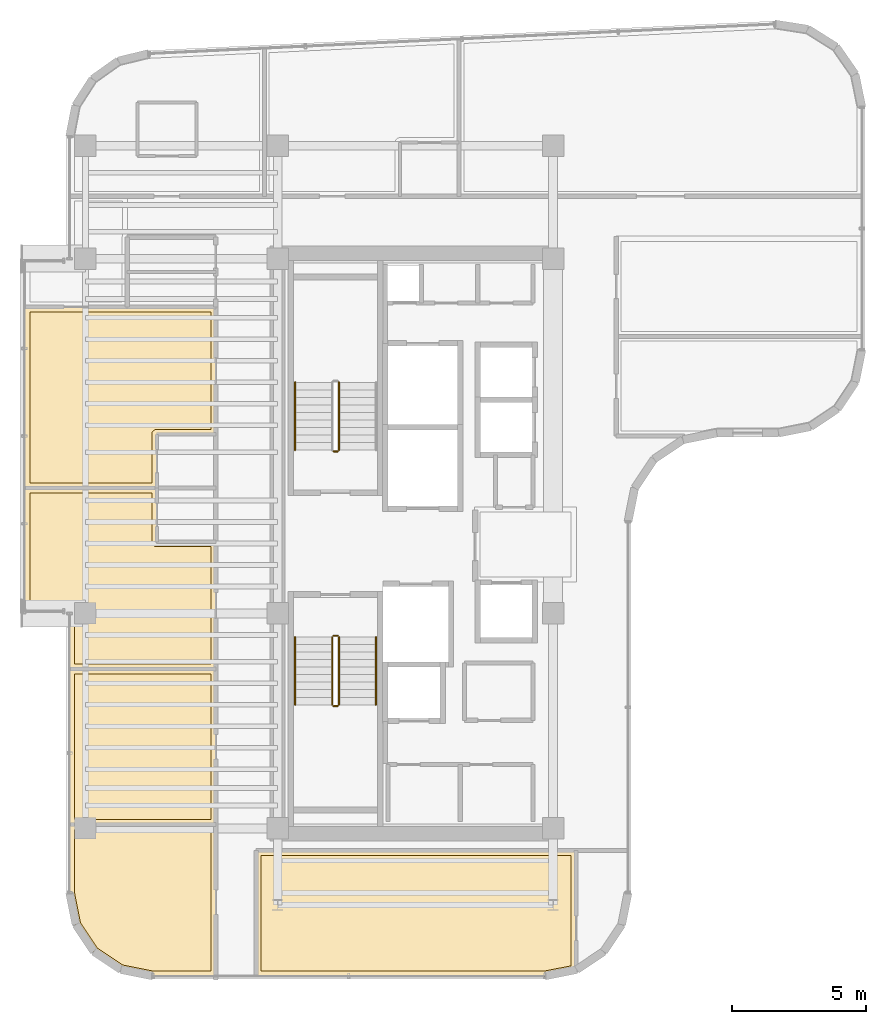
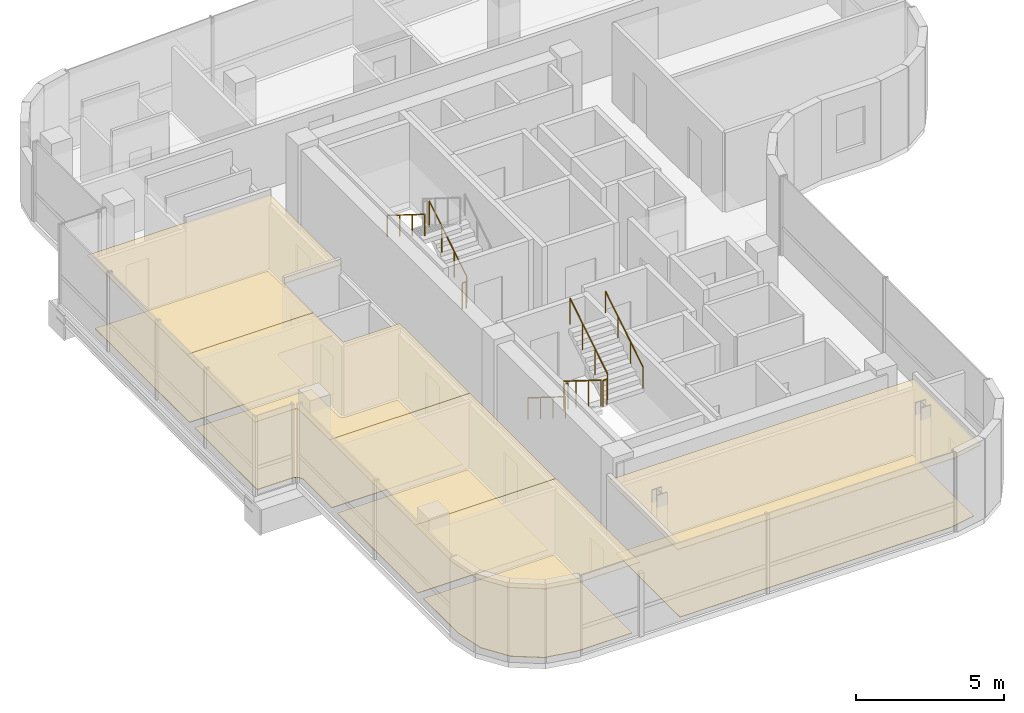
# One storey, part 18 of 20: 10 coverings, 9 railings.
"""IFC4 building model written with IfcOpenShell, lengths in metres."""

from ifc_helpers import new_model, si_unit, direction, frame, origin, origin_2d, place, context, subcontext, project, spatial, polyline, circle, outline, extrude, material, layer, layer_set, type_object, element, save


model = new_model("IFC4")

# Units and contexts
model_context = context("Model", 3, precision=1e-05, world=origin(), true_north=direction((0.0, 1.0)))
body_context = subcontext(model_context, "Body", "Model", "MODEL_VIEW")
ifc_project = project(units=[si_unit("LENGTHUNIT", "METRE"), si_unit("AREAUNIT", "SQUARE_METRE"), si_unit("VOLUMEUNIT", "CUBIC_METRE"), si_unit("PLANEANGLEUNIT", "RADIAN"), si_unit("MASSUNIT", "GRAM", prefix="KILO")], contexts=[model_context])

# Site, building, storey
site_placement = place(None, origin())
site = spatial("IfcSite", under=ifc_project, at=site_placement, CompositionType="ELEMENT")
building_placement = place(site_placement, origin())
building = spatial("IfcBuilding", under=site, at=building_placement, Name="Valdorenza Pilgrim Sanctuary Tower", CompositionType="ELEMENT")
storey_placement = place(building_placement, frame((0.0, 0.0, 280.0)))
storey = spatial("IfcBuildingStorey", under=building, at=storey_placement, Name="L73", CompositionType="ELEMENT", Elevation=280.0)

# Coverings
ifc_material_1 = material(Name="Micro-perforated acoustic mineral ceiling tile", Category="gypsum")
ifc_layer_1 = layer(ifc_material_1, 0.02490234375, Name="Micro-perforated acoustic mineral ceiling tile")
ifc_layer_set_1 = layer_set([ifc_layer_1], Name="Micro-perforated acoustic mineral ceiling tile")
covering_type_1 = type_object("IfcCoveringType", Name="COV-CLG-ACU", PredefinedType="CEILING", material=ifc_layer_set_1)
covering_1_placement = place(storey_placement, frame((0.0, 0.0, 2.9599609375)))
element("IfcCovering", 1, at=covering_1_placement, inside=storey, type_object=covering_type_1, Name="L73 Sacred Art Exhibition Gallery L73 Acoustic Ceiling", PredefinedType="CEILING", context=body_context, shape_type="SweptSolid", body=[
    extrude(outline(polyline([(-24.93505859375, -16.090087890625), (-24.93505859375, -16.091552734375), (-24.935302734375, -16.093017578125), (-24.935546875, -16.094482421875), (-24.93603515625, -16.095703125), (-24.936767578125, -16.09716796875), (-24.9375, -16.098388671875), (-24.9384765625, -16.099609375), (-24.939453125, -16.1005859375), (-24.9404296875, -16.1015625), (-24.941650390625, -16.1025390625), (-24.94287109375, -16.103271484375), (-24.9443359375, -16.10400390625), (-24.945556640625, -16.1044921875), (-24.947021484375, -16.104736328125), (-24.948486328125, -16.10498046875), (-24.949951171875, -16.10498046875), (-27.289306640625, -16.10498046875), (-27.29052734375, -16.10498046875), (-27.2919921875, -16.104736328125), (-28.484619140625, -15.867431640625), (-28.486083984375, -15.8671875), (-28.4873046875, -15.86669921875), (-28.48876953125, -15.865966796875), (-28.489990234375, -15.865234375), (-29.49169921875, -15.19580078125), (-29.492919921875, -15.195068359375), (-29.493896484375, -15.194091796875), (-29.4951171875, -15.19287109375), (-29.495849609375, -15.191650390625), (-30.165283203125, -14.18994140625), (-30.166015625, -14.188720703125), (-30.16650390625, -14.1875), (-30.1669921875, -14.18603515625), (-30.16748046875, -14.1845703125), (-30.40478515625, -12.9921875), (-30.40478515625, -12.990478515625), (-30.405029296875, -12.9892578125), (-30.405029296875, -10.455078125), (-30.40478515625, -10.45361328125), (-30.40478515625, -10.4521484375), (-30.404296875, -10.45068359375), (-30.40380859375, -10.44921875), (-30.4033203125, -10.447998046875), (-30.402587890625, -10.44677734375), (-30.401611328125, -10.445556640625), (-30.400634765625, -10.4443359375), (-30.3994140625, -10.443359375), (-30.398193359375, -10.4423828125), (-30.397216796875, -10.44189453125), (-30.395751953125, -10.441162109375), (-30.394287109375, -10.440673828125), (-30.392822265625, -10.440185546875), (-30.3916015625, -10.440185546875), (-30.389892578125, -10.43994140625), (-24.949951171875, -10.43994140625), (-24.948486328125, -10.440185546875), (-24.947021484375, -10.440185546875), (-24.945556640625, -10.440673828125), (-24.9443359375, -10.441162109375), (-24.94287109375, -10.44189453125), (-24.941650390625, -10.4423828125), (-24.9404296875, -10.443359375), (-24.939453125, -10.4443359375), (-24.9384765625, -10.445556640625), (-24.9375, -10.44677734375), (-24.936767578125, -10.447998046875), (-24.93603515625, -10.44921875), (-24.935546875, -10.45068359375), (-24.935302734375, -10.4521484375), (-24.93505859375, -10.45361328125), (-24.93505859375, -10.455078125), (-24.93505859375, -16.090087890625)])), origin(), (0.0, 0.0, 1.0), 0.025146484375),
])
covering_2_placement = place(storey_placement, frame((0.0, 0.0, 2.9599609375)))
element("IfcCovering", 2, at=covering_2_placement, inside=storey, type_object=covering_type_1, Name="L73 Theological Reference Library L73 Acoustic Ceiling", PredefinedType="CEILING", context=body_context, shape_type="SweptSolid", body=[
    extrude(outline(polyline([(-24.93505859375, -10.452880859375), (-24.93505859375, -10.45458984375), (-24.935302734375, -10.455810546875), (-24.935546875, -10.45751953125), (-24.93603515625, -10.458740234375), (-24.936767578125, -10.460205078125), (-24.9375, -10.461181640625), (-24.9384765625, -10.46240234375), (-24.939453125, -10.463623046875), (-24.9404296875, -10.464599609375), (-24.941650390625, -10.465576171875), (-24.94287109375, -10.46630859375), (-24.9443359375, -10.466796875), (-24.945556640625, -10.46728515625), (-24.947021484375, -10.4677734375), (-24.948486328125, -10.468017578125), (-24.949951171875, -10.468017578125), (-30.389892578125, -10.468017578125), (-30.3916015625, -10.468017578125), (-30.392822265625, -10.4677734375), (-30.394287109375, -10.46728515625), (-30.395751953125, -10.466796875), (-30.397216796875, -10.46630859375), (-30.398193359375, -10.465576171875), (-30.3994140625, -10.464599609375), (-30.400634765625, -10.463623046875), (-30.401611328125, -10.46240234375), (-30.402587890625, -10.461181640625), (-30.4033203125, -10.460205078125), (-30.40380859375, -10.458740234375), (-30.404296875, -10.45751953125), (-30.40478515625, -10.455810546875), (-30.40478515625, -10.45458984375), (-30.405029296875, -10.452880859375), (-30.405029296875, -4.669921875), (-30.40478515625, -4.66845703125), (-30.40478515625, -4.6669921875), (-30.404296875, -4.66552734375), (-30.40380859375, -4.664306640625), (-30.4033203125, -4.662841796875), (-30.402587890625, -4.66162109375), (-30.401611328125, -4.660400390625), (-30.400634765625, -4.659423828125), (-30.3994140625, -4.658447265625), (-30.398193359375, -4.657470703125), (-30.397216796875, -4.65673828125), (-30.395751953125, -4.656005859375), (-30.394287109375, -4.655517578125), (-30.392822265625, -4.6552734375), (-30.3916015625, -4.655029296875), (-30.389892578125, -4.655029296875), (-24.949951171875, -4.655029296875), (-24.948486328125, -4.655029296875), (-24.947021484375, -4.6552734375), (-24.945556640625, -4.655517578125), (-24.9443359375, -4.656005859375), (-24.94287109375, -4.65673828125), (-24.941650390625, -4.657470703125), (-24.9404296875, -4.658447265625), (-24.939453125, -4.659423828125), (-24.9384765625, -4.660400390625), (-24.9375, -4.66162109375), (-24.936767578125, -4.662841796875), (-24.93603515625, -4.664306640625), (-24.935546875, -4.66552734375), (-24.935302734375, -4.6669921875), (-24.93505859375, -4.66845703125), (-24.93505859375, -4.669921875), (-24.93505859375, -10.452880859375)])), origin(), (0.0, 0.0, 1.0), 0.025146484375),
])
covering_3_placement = place(storey_placement, frame((0.0, 0.0, 2.9599609375)))
element("IfcCovering", 3, at=covering_3_placement, inside=storey, type_object=covering_type_1, Name="L73 Pilgrim Guest Room L73-GW1A Acoustic Ceiling", PredefinedType="CEILING", context=body_context, shape_type="SweptSolid", body=[
    extrude(outline(polyline([(-30.405029296875, -2.600341796875), (-30.405517578125, -2.5908203125), (-30.40673828125, -2.58154296875), (-30.4091796875, -2.572509765625), (-30.412109375, -2.563720703125), (-30.416259765625, -2.55517578125), (-30.4208984375, -2.547119140625), (-30.426513671875, -2.539794921875), (-30.432861328125, -2.53271484375), (-30.439697265625, -2.526611328125), (-30.447265625, -2.52099609375), (-30.455078125, -2.51611328125), (-30.463623046875, -2.51220703125), (-30.472412109375, -2.509033203125), (-30.4814453125, -2.5068359375), (-30.49072265625, -2.505615234375), (-30.50048828125, -2.5048828125), (-32.0400390625, -2.5048828125), (-32.04150390625, -2.5048828125), (-32.04296875, -2.504638671875), (-32.04443359375, -2.50439453125), (-32.045654296875, -2.50390625), (-32.047119140625, -2.503173828125), (-32.04833984375, -2.50244140625), (-32.049560546875, -2.501708984375), (-32.050537109375, -2.50048828125), (-32.051513671875, -2.49951171875), (-32.052490234375, -2.498291015625), (-32.05322265625, -2.4970703125), (-32.053955078125, -2.49560546875), (-32.054443359375, -2.494384765625), (-32.0546875, -2.492919921875), (-32.054931640625, -2.491455078125), (-32.054931640625, -2.489990234375), (-32.054931640625, 2.06494140625), (-32.054931640625, 2.06640625), (-32.0546875, 2.06787109375), (-32.054443359375, 2.0693359375), (-32.053955078125, 2.07080078125), (-32.05322265625, 2.072021484375), (-32.052490234375, 2.0732421875), (-32.051513671875, 2.074462890625), (-32.050537109375, 2.07568359375), (-32.049560546875, 2.07666015625), (-32.04833984375, 2.077392578125), (-32.047119140625, 2.078125), (-32.045654296875, 2.078857421875), (-32.04443359375, 2.079345703125), (-32.04296875, 2.07958984375), (-32.04150390625, 2.079833984375), (-32.0400390625, 2.080078125), (-27.152099609375, 2.080078125), (-27.150390625, 2.079833984375), (-27.149169921875, 2.07958984375), (-27.147705078125, 2.079345703125), (-27.146240234375, 2.078857421875), (-27.14501953125, 2.078125), (-27.143798828125, 2.077392578125), (-27.142578125, 2.07666015625), (-27.141357421875, 2.07568359375), (-27.140380859375, 2.074462890625), (-27.139404296875, 2.0732421875), (-27.138916015625, 2.072021484375), (-27.13818359375, 2.07080078125), (-27.1376953125, 2.0693359375), (-27.13720703125, 2.06787109375), (-27.13720703125, 2.06640625), (-27.136962890625, 2.06494140625), (-27.136962890625, 0.077880859375), (-24.949951171875, 0.077880859375), (-24.948486328125, 0.077880859375), (-24.947021484375, 0.07763671875), (-24.945556640625, 0.077392578125), (-24.9443359375, 0.076904296875), (-24.94287109375, 0.076171875), (-24.941650390625, 0.075439453125), (-24.9404296875, 0.07470703125), (-24.939453125, 0.073486328125), (-24.9384765625, 0.072509765625), (-24.9375, 0.0712890625), (-24.936767578125, 0.070068359375), (-24.93603515625, 0.068603515625), (-24.935546875, 0.0673828125), (-24.935302734375, 0.06591796875), (-24.93505859375, 0.064453125), (-24.93505859375, 0.06298828125), (-24.93505859375, -4.66796875), (-24.93505859375, -4.66943359375), (-24.935302734375, -4.6708984375), (-24.935546875, -4.67236328125), (-24.93603515625, -4.673583984375), (-24.936767578125, -4.675048828125), (-24.9375, -4.67626953125), (-24.9384765625, -4.677490234375), (-24.939453125, -4.6787109375), (-24.9404296875, -4.6796875), (-24.941650390625, -4.680419921875), (-24.94287109375, -4.68115234375), (-24.9443359375, -4.681884765625), (-24.945556640625, -4.682373046875), (-24.947021484375, -4.6826171875), (-24.948486328125, -4.682861328125), (-24.949951171875, -4.68310546875), (-30.389892578125, -4.68310546875), (-30.3916015625, -4.682861328125), (-30.392822265625, -4.6826171875), (-30.394287109375, -4.682373046875), (-30.395751953125, -4.681884765625), (-30.397216796875, -4.68115234375), (-30.398193359375, -4.680419921875), (-30.3994140625, -4.6796875), (-30.400634765625, -4.6787109375), (-30.401611328125, -4.677490234375), (-30.402587890625, -4.67626953125), (-30.4033203125, -4.675048828125), (-30.40380859375, -4.673583984375), (-30.404296875, -4.67236328125), (-30.40478515625, -4.6708984375), (-30.40478515625, -4.66943359375), (-30.405029296875, -4.66796875), (-30.405029296875, -2.600341796875)])), origin(), (0.0, 0.0, 1.0), 0.025146484375),
])
covering_4_placement = place(storey_placement, frame((0.0, 0.0, 2.9599609375)))
element("IfcCovering", 4, at=covering_4_placement, inside=storey, type_object=covering_type_1, Name="L73 Pilgrim Guest Room L73-GW1B Acoustic Ceiling", PredefinedType="CEILING", context=body_context, shape_type="SweptSolid", body=[
    extrude(outline(polyline([(-28.253662109375, 8.81298828125), (-28.253173828125, 8.81298828125), (-28.25146484375, 8.813232421875), (-28.25, 8.813232421875), (-28.24853515625, 8.81298828125), (-28.248291015625, 8.81298828125), (-24.949951171875, 8.81298828125), (-24.948486328125, 8.81298828125), (-24.947021484375, 8.812744140625), (-24.945556640625, 8.8125), (-24.9443359375, 8.81201171875), (-24.94287109375, 8.811279296875), (-24.941650390625, 8.810546875), (-24.9404296875, 8.8095703125), (-24.939453125, 8.80859375), (-24.9384765625, 8.8076171875), (-24.9375, 8.806396484375), (-24.936767578125, 8.80517578125), (-24.93603515625, 8.8037109375), (-24.935546875, 8.802490234375), (-24.935302734375, 8.80078125), (-24.93505859375, 8.799560546875), (-24.93505859375, 8.798095703125), (-24.93505859375, 4.06689453125), (-24.93505859375, 4.0654296875), (-24.935302734375, 4.064208984375), (-24.935546875, 4.0625), (-24.93603515625, 4.061279296875), (-24.936767578125, 4.059814453125), (-24.9375, 4.05859375), (-24.9384765625, 4.0576171875), (-24.939453125, 4.056396484375), (-24.9404296875, 4.055419921875), (-24.941650390625, 4.054443359375), (-24.94287109375, 4.0537109375), (-24.9443359375, 4.052978515625), (-24.945556640625, 4.052490234375), (-24.947021484375, 4.05224609375), (-24.948486328125, 4.052001953125), (-24.949951171875, 4.052001953125), (-27.136962890625, 4.052001953125), (-27.136962890625, 2.06689453125), (-27.13720703125, 2.0654296875), (-27.13720703125, 2.064208984375), (-27.1376953125, 2.0625), (-27.13818359375, 2.061279296875), (-27.138916015625, 2.059814453125), (-27.139404296875, 2.05859375), (-27.140380859375, 2.0576171875), (-27.141357421875, 2.056396484375), (-27.142578125, 2.055419921875), (-27.143798828125, 2.054443359375), (-27.14501953125, 2.0537109375), (-27.146240234375, 2.052978515625), (-27.147705078125, 2.052490234375), (-27.149169921875, 2.05224609375), (-27.150390625, 2.052001953125), (-27.152099609375, 2.052001953125), (-32.0400390625, 2.052001953125), (-32.04150390625, 2.052001953125), (-32.04296875, 2.05224609375), (-32.04443359375, 2.052490234375), (-32.045654296875, 2.052978515625), (-32.047119140625, 2.0537109375), (-32.04833984375, 2.054443359375), (-32.049560546875, 2.055419921875), (-32.050537109375, 2.056396484375), (-32.051513671875, 2.0576171875), (-32.052490234375, 2.05859375), (-32.05322265625, 2.059814453125), (-32.053955078125, 2.061279296875), (-32.054443359375, 2.0625), (-32.0546875, 2.064208984375), (-32.054931640625, 2.0654296875), (-32.054931640625, 2.06689453125), (-32.054931640625, 8.798095703125), (-32.054931640625, 8.799560546875), (-32.0546875, 8.80078125), (-32.054443359375, 8.802490234375), (-32.053955078125, 8.8037109375), (-32.05322265625, 8.80517578125), (-32.052490234375, 8.806396484375), (-32.051513671875, 8.8076171875), (-32.050537109375, 8.80859375), (-32.049560546875, 8.8095703125), (-32.04833984375, 8.810546875), (-32.047119140625, 8.811279296875), (-32.045654296875, 8.81201171875), (-32.04443359375, 8.8125), (-32.04296875, 8.812744140625), (-32.04150390625, 8.81298828125), (-32.0400390625, 8.81298828125), (-28.253662109375, 8.81298828125)])), origin(), (0.0, 0.0, 1.0), 0.025146484375),
])
covering_5_placement = place(storey_placement, frame((0.0, 0.0, 2.9599609375)))
element("IfcCovering", 5, at=covering_5_placement, inside=storey, type_object=covering_type_1, Name="L73 South Contemplation Lounge L73 Acoustic Ceiling", PredefinedType="CEILING", context=body_context, shape_type="SweptSolid", body=[
    extrude(outline(polyline([(-11.550048828125, -11.405029296875), (-11.548583984375, -11.405029296875), (-11.547119140625, -11.4052734375), (-11.545654296875, -11.405517578125), (-11.544189453125, -11.406005859375), (-11.54296875, -11.40673828125), (-11.541748046875, -11.407470703125), (-11.54052734375, -11.408447265625), (-11.539306640625, -11.409423828125), (-11.538330078125, -11.410400390625), (-11.53759765625, -11.41162109375), (-11.536865234375, -11.412841796875), (-11.5361328125, -11.414306640625), (-11.53564453125, -11.41552734375), (-11.535400390625, -11.4169921875), (-11.53515625, -11.41845703125), (-11.534912109375, -11.419921875), (-11.534912109375, -15.859130859375), (-11.53515625, -15.860595703125), (-11.535400390625, -15.862060546875), (-11.53564453125, -15.86328125), (-11.5361328125, -15.86474609375), (-11.536865234375, -15.8662109375), (-11.53759765625, -15.867431640625), (-11.538330078125, -15.86865234375), (-11.539306640625, -15.86962890625), (-11.54052734375, -15.87060546875), (-11.541748046875, -15.87158203125), (-11.54296875, -15.872314453125), (-11.544189453125, -15.872802734375), (-11.545654296875, -15.873291015625), (-11.547119140625, -15.873779296875), (-12.7080078125, -16.104736328125), (-12.70947265625, -16.10498046875), (-12.710693359375, -16.10498046875), (-23.449951171875, -16.10498046875), (-23.451416015625, -16.10498046875), (-23.452880859375, -16.104736328125), (-23.454345703125, -16.1044921875), (-23.455810546875, -16.10400390625), (-23.45703125, -16.103271484375), (-23.458251953125, -16.1025390625), (-23.45947265625, -16.1015625), (-23.460693359375, -16.1005859375), (-23.461669921875, -16.099609375), (-23.46240234375, -16.098388671875), (-23.463134765625, -16.09716796875), (-23.4638671875, -16.095703125), (-23.46435546875, -16.094482421875), (-23.464599609375, -16.093017578125), (-23.46484375, -16.091552734375), (-23.465087890625, -16.090087890625), (-23.465087890625, -11.419921875), (-23.46484375, -11.41845703125), (-23.464599609375, -11.4169921875), (-23.46435546875, -11.41552734375), (-23.4638671875, -11.414306640625), (-23.463134765625, -11.412841796875), (-23.46240234375, -11.41162109375), (-23.461669921875, -11.410400390625), (-23.460693359375, -11.409423828125), (-23.45947265625, -11.408447265625), (-23.458251953125, -11.407470703125), (-23.45703125, -11.40673828125), (-23.455810546875, -11.406005859375), (-23.454345703125, -11.405517578125), (-23.452880859375, -11.4052734375), (-23.451416015625, -11.405029296875), (-23.449951171875, -11.405029296875), (-11.550048828125, -11.405029296875)])), origin(), (0.0, 0.0, 1.0), 0.025146484375),
])
ifc_material_2 = material(Name="Engineered European oak timber flooring", Category="wood")
ifc_layer_2 = layer(ifc_material_2, 0.02197265625, Name="Engineered European oak timber flooring")
ifc_layer_set_2 = layer_set([ifc_layer_2], Name="Engineered European oak timber flooring")
covering_type_2 = type_object("IfcCoveringType", Name="COV-FLR-OAK", PredefinedType="FLOORING", material=ifc_layer_set_2)
covering_6_placement = place(storey_placement, origin())
element("IfcCovering", 6, at=covering_6_placement, inside=storey, type_object=covering_type_2, Name="L73 Pilgrim Guest Room L73-GW1A Flooring", PredefinedType="FLOORING", context=body_context, shape_type="SweptSolid", body=[
    extrude(outline(polyline([(-30.2099609375, -2.60009765625), (-30.210205078125, -2.59130859375), (-30.210693359375, -2.580322265625), (-30.21240234375, -2.562744140625), (-30.214111328125, -2.552001953125), (-30.217529296875, -2.534912109375), (-30.22021484375, -2.5244140625), (-30.225341796875, -2.50732421875), (-30.22900390625, -2.497314453125), (-30.235595703125, -2.48095703125), (-30.240234375, -2.47119140625), (-30.24853515625, -2.45556640625), (-30.254150390625, -2.4462890625), (-30.263916015625, -2.431640625), (-30.2705078125, -2.423095703125), (-30.281494140625, -2.4091796875), (-30.288818359375, -2.4013671875), (-30.30126953125, -2.388916015625), (-30.309326171875, -2.381591796875), (-30.322998046875, -2.370361328125), (-30.331787109375, -2.364013671875), (-30.34619140625, -2.35400390625), (-30.355712890625, -2.3486328125), (-30.37109375, -2.34033203125), (-30.380859375, -2.335693359375), (-30.397216796875, -2.328857421875), (-30.407470703125, -2.3251953125), (-30.42431640625, -2.320068359375), (-30.434814453125, -2.3173828125), (-30.4521484375, -2.314208984375), (-30.462890625, -2.3125), (-30.48046875, -2.310791015625), (-30.4912109375, -2.310302734375), (-30.5, -2.31005859375), (-31.860107421875, -2.31005859375), (-31.860107421875, 1.885009765625), (-27.33203125, 1.885009765625), (-27.33203125, 0.06494140625), (-27.331787109375, 0.05615234375), (-27.331787109375, 0.055908203125), (-27.330078125, 0.038330078125), (-27.330078125, 0.0380859375), (-27.32666015625, 0.02099609375), (-27.326416015625, 0.020751953125), (-27.3212890625, 0.00390625), (-27.3212890625, 0.003662109375), (-27.314697265625, -0.0126953125), (-27.314453125, -0.012939453125), (-27.30615234375, -0.028564453125), (-27.30615234375, -0.028564453125), (-27.296142578125, -0.043212890625), (-27.296142578125, -0.04345703125), (-27.284912109375, -0.05712890625), (-27.284912109375, -0.057373046875), (-27.272216796875, -0.06982421875), (-27.272216796875, -0.06982421875), (-27.258544921875, -0.0810546875), (-27.25830078125, -0.081298828125), (-27.24365234375, -0.091064453125), (-27.243408203125, -0.09130859375), (-27.227783203125, -0.099609375), (-27.227783203125, -0.099609375), (-27.21142578125, -0.106201171875), (-27.211181640625, -0.1064453125), (-27.1943359375, -0.111572265625), (-27.194091796875, -0.111572265625), (-27.1767578125, -0.114990234375), (-27.176513671875, -0.114990234375), (-27.158935546875, -0.11669921875), (-27.15869140625, -0.11669921875), (-27.14990234375, -0.116943359375), (-25.1298828125, -0.116943359375), (-25.1298828125, -4.488037109375), (-30.2099609375, -4.488037109375), (-30.2099609375, -2.60009765625)])), origin(), (0.0, 0.0, 1.0), 0.02490234375),
])
covering_7_placement = place(storey_placement, origin())
element("IfcCovering", 7, at=covering_7_placement, inside=storey, type_object=covering_type_2, Name="L73 Pilgrim Guest Room L73-GW1B Flooring", PredefinedType="FLOORING", context=body_context, shape_type="SweptSolid", body=[
    extrude(outline(polyline([(-28.250244140625, 8.617919921875), (-28.25, 8.617919921875), (-25.1298828125, 8.617919921875), (-25.1298828125, 4.2470703125), (-27.14990234375, 4.2470703125), (-27.15869140625, 4.246826171875), (-27.158935546875, 4.246826171875), (-27.176513671875, 4.2451171875), (-27.1767578125, 4.2451171875), (-27.194091796875, 4.24169921875), (-27.1943359375, 4.241455078125), (-27.211181640625, 4.236328125), (-27.21142578125, 4.236328125), (-27.227783203125, 4.2294921875), (-27.227783203125, 4.2294921875), (-27.243408203125, 4.22119140625), (-27.24365234375, 4.22119140625), (-27.25830078125, 4.211181640625), (-27.258544921875, 4.211181640625), (-27.272216796875, 4.199951171875), (-27.272216796875, 4.19970703125), (-27.284912109375, 4.187255859375), (-27.284912109375, 4.18701171875), (-27.296142578125, 4.173583984375), (-27.296142578125, 4.17333984375), (-27.30615234375, 4.15869140625), (-27.30615234375, 4.158447265625), (-27.314453125, 4.142822265625), (-27.314697265625, 4.142578125), (-27.3212890625, 4.12646484375), (-27.3212890625, 4.126220703125), (-27.326416015625, 4.109375), (-27.32666015625, 4.109130859375), (-27.330078125, 4.091796875), (-27.330078125, 4.091552734375), (-27.331787109375, 4.073974609375), (-27.331787109375, 4.07373046875), (-27.33203125, 4.06494140625), (-27.33203125, 2.2470703125), (-31.860107421875, 2.2470703125), (-31.860107421875, 8.617919921875), (-28.251953125, 8.617919921875), (-28.2509765625, 8.617919921875), (-28.250244140625, 8.617919921875)])), origin(), (0.0, 0.0, 1.0), 0.02490234375),
])
ifc_material_3 = material(Name="Honed travertine stone flooring", Category="masonry")
ifc_layer_3 = layer(ifc_material_3, 0.030029296875, Name="Honed travertine stone flooring")
ifc_layer_set_3 = layer_set([ifc_layer_3], Name="Honed travertine stone flooring")
covering_type_3 = type_object("IfcCoveringType", Name="COV-FLR-TRV", PredefinedType="FLOORING", material=ifc_layer_set_3)
covering_8_placement = place(storey_placement, origin())
element("IfcCovering", 8, at=covering_8_placement, inside=storey, type_object=covering_type_3, Name="L73 Sacred Art Exhibition Gallery L73 Flooring", PredefinedType="FLOORING", context=body_context, shape_type="SweptSolid", body=[
    extrude(outline(polyline([(-25.1298828125, -15.909912109375), (-27.271484375, -15.909912109375), (-28.411376953125, -15.68310546875), (-29.353515625, -15.0537109375), (-29.983154296875, -14.111328125), (-30.2099609375, -12.971435546875), (-30.2099609375, -10.635009765625), (-25.1298828125, -10.635009765625), (-25.1298828125, -15.909912109375)])), origin(), (0.0, 0.0, 1.0), 0.02490234375),
])
covering_9_placement = place(storey_placement, origin())
element("IfcCovering", 9, at=covering_9_placement, inside=storey, type_object=covering_type_3, Name="L73 Theological Reference Library L73 Flooring", PredefinedType="FLOORING", context=body_context, shape_type="SweptSolid", body=[
    extrude(outline(polyline([(-25.1298828125, -10.27294921875), (-30.2099609375, -10.27294921875), (-30.2099609375, -4.85009765625), (-25.1298828125, -4.85009765625), (-25.1298828125, -10.27294921875)])), origin(), (0.0, 0.0, 1.0), 0.02490234375),
])
covering_10_placement = place(storey_placement, origin())
element("IfcCovering", 10, at=covering_10_placement, inside=storey, type_object=covering_type_3, Name="L73 South Contemplation Lounge L73 Flooring", PredefinedType="FLOORING", context=body_context, shape_type="SweptSolid", body=[
    extrude(outline(polyline([(-11.72998046875, -11.60009765625), (-11.72998046875, -15.71142578125), (-12.728515625, -15.909912109375), (-23.27001953125, -15.909912109375), (-23.27001953125, -11.60009765625), (-11.72998046875, -11.60009765625)])), origin(), (0.0, 0.0, 1.0), 0.02490234375),
])

# Railings
ifc_material_4 = material(Name="Stainless steel Grade 316", Category="steel")
railing_type_1 = type_object("IfcRailingType", Name="RLG-GRD-1120", PredefinedType="GUARDRAIL", material=ifc_material_4)
railing_1_placement = place(storey_placement, frame((-20.3701171875, 3.47998046875, 0.175048828125)))
element("IfcRailing", 11, at=railing_1_placement, inside=storey, type_object=railing_type_1, Name="L73 ST-A1 stair guard 1", PredefinedType="GUARDRAIL", context=body_context, shape_type="SweptSolid", body=[
    extrude(circle(Radius=0.02392578125, at=origin_2d()), frame((0.0, 0.0, 1.076171875), z_axis=(0.0, 0.848007534815, 0.529984170421), x_axis=(-1.0, 0.0, 0.0)), (0.0, 0.0, 1.0), 2.9716796875),
    extrude(circle(Radius=0.02099609375, at=origin_2d()), origin(), (0.0, 0.0, 1.0), 1.052001953125),
    extrude(circle(Radius=0.02099609375, at=origin_2d()), frame((0.0, 0.840087890625, 0.52490234375)), (0.0, 0.0, 1.0), 1.052001953125),
    extrude(circle(Radius=0.02099609375, at=origin_2d()), frame((0.0, 1.679931640625, 1.050048828125)), (0.0, 0.0, 1.0), 1.052001953125),
    extrude(circle(Radius=0.02099609375, at=origin_2d()), frame((0.0, 2.52001953125, 1.574951171875)), (0.0, 0.0, 1.0), 1.052001953125),
])
railing_2_placement = place(storey_placement, frame((-20.419921875, 3.429931640625, 0.0)))
element("IfcRailing", 12, at=railing_2_placement, inside=storey, type_object=railing_type_1, Name="L73 ST-A1 stair guard 4", PredefinedType="GUARDRAIL", context=body_context, shape_type="SweptSolid", body=[
    extrude(circle(Radius=0.02392578125, at=origin_2d()), frame((0.0, 0.0, 1.076171875), z_axis=(-1.0, 0.0, 0.0), x_axis=(0.0, -1.0, 0.0)), (0.0, 0.0, 1.0), 0.150146484375),
    extrude(circle(Radius=0.02099609375, at=origin_2d()), origin(), (0.0, 0.0, 1.0), 1.052001953125),
    extrude(circle(Radius=0.02099609375, at=origin_2d()), frame((-0.150146484375, 0.0, 0.0)), (0.0, 0.0, 1.0), 1.052001953125),
])
railing_3_placement = place(storey_placement, frame((-20.6201171875, -3.47998046875, 0.175048828125)))
element("IfcRailing", 13, at=railing_3_placement, inside=storey, type_object=railing_type_1, Name="L73 ST-A2 stair guard 1", PredefinedType="GUARDRAIL", context=body_context, shape_type="SweptSolid", body=[
    extrude(circle(Radius=0.02392578125, at=origin_2d()), frame((0.0, 0.0, 1.076171875), z_axis=(0.0, -0.848007534815, 0.529984170421), x_axis=(1.0, 0.0, 0.0)), (0.0, 0.0, 1.0), 2.9716796875),
    extrude(circle(Radius=0.02099609375, at=origin_2d()), origin(), (0.0, 0.0, 1.0), 1.052001953125),
    extrude(circle(Radius=0.02099609375, at=origin_2d()), frame((0.0, -0.840087890625, 0.52490234375)), (0.0, 0.0, 1.0), 1.052001953125),
    extrude(circle(Radius=0.02099609375, at=origin_2d()), frame((0.0, -1.679931640625, 1.050048828125)), (0.0, 0.0, 1.0), 1.052001953125),
    extrude(circle(Radius=0.02099609375, at=origin_2d()), frame((0.0, -2.52001953125, 1.574951171875)), (0.0, 0.0, 1.0), 1.052001953125),
])
railing_4_placement = place(storey_placement, frame((-20.570068359375, -6.050048828125, 1.75)))
element("IfcRailing", 14, at=railing_4_placement, inside=storey, type_object=railing_type_1, Name="L73 ST-A2 stair guard 2", PredefinedType="GUARDRAIL", context=body_context, shape_type="SweptSolid", body=[
    extrude(circle(Radius=0.02392578125, at=origin_2d()), frame((0.0, 0.0, 1.076171875), z_axis=(1.0, 0.0, 0.0), x_axis=(0.0, 1.0, 0.0)), (0.0, 0.0, 1.0), 0.150146484375),
    extrude(circle(Radius=0.02099609375, at=origin_2d()), origin(), (0.0, 0.0, 1.0), 1.052001953125),
    extrude(circle(Radius=0.02099609375, at=origin_2d()), frame((0.150146484375, 0.0, 0.0)), (0.0, 0.0, 1.0), 1.052001953125),
])
railing_5_placement = place(storey_placement, frame((-20.3701171875, -6.0, 1.925048828125)))
element("IfcRailing", 15, at=railing_5_placement, inside=storey, type_object=railing_type_1, Name="L73 ST-A2 stair guard 3", PredefinedType="GUARDRAIL", context=body_context, shape_type="SweptSolid", body=[
    extrude(circle(Radius=0.02392578125, at=origin_2d()), frame((0.0, 0.0, 1.076171875), z_axis=(0.0, 0.848007534815, 0.529984170421), x_axis=(-1.0, 0.0, 0.0)), (0.0, 0.0, 1.0), 2.9716796875),
    extrude(circle(Radius=0.02099609375, at=origin_2d()), origin(), (0.0, 0.0, 1.0), 1.052001953125),
    extrude(circle(Radius=0.02099609375, at=origin_2d()), frame((0.0, 0.840087890625, 0.52490234375)), (0.0, 0.0, 1.0), 1.052001953125),
    extrude(circle(Radius=0.02099609375, at=origin_2d()), frame((0.0, 1.679931640625, 1.050048828125)), (0.0, 0.0, 1.0), 1.052001953125),
    extrude(circle(Radius=0.02099609375, at=origin_2d()), frame((0.0, 2.52001953125, 1.574951171875)), (0.0, 0.0, 1.0), 1.052001953125),
])
railing_6_placement = place(storey_placement, frame((-20.570068359375, -3.429931640625, 0.0)))
element("IfcRailing", 16, at=railing_6_placement, inside=storey, type_object=railing_type_1, Name="L73 ST-A2 stair guard 4", PredefinedType="GUARDRAIL", context=body_context, shape_type="SweptSolid", body=[
    extrude(circle(Radius=0.02392578125, at=origin_2d()), frame((0.0, 0.0, 1.076171875), z_axis=(1.0, 0.0, 0.0), x_axis=(0.0, 1.0, 0.0)), (0.0, 0.0, 1.0), 0.150146484375),
    extrude(circle(Radius=0.02099609375, at=origin_2d()), origin(), (0.0, 0.0, 1.0), 1.052001953125),
    extrude(circle(Radius=0.02099609375, at=origin_2d()), frame((0.150146484375, 0.0, 0.0)), (0.0, 0.0, 1.0), 1.052001953125),
])
ifc_material_5 = material(Name="Brushed stainless steel Grade 316", Category="steel")
railing_type_2 = type_object("IfcRailingType", Name="RLG-HND-920", PredefinedType="HANDRAIL", material=ifc_material_5)
for number, where, name in (
    (17, (-22.0, 6.0, 1.925048828125), "L73 ST-A1 stair handrail 2"),
    (18, (-22.0, -3.47998046875, 0.175048828125), "L73 ST-A2 stair handrail 1"),
):
    element("IfcRailing", number, at=place(storey_placement, frame(where)), inside=storey, type_object=railing_type_2, Name=name, PredefinedType="HANDRAIL", context=body_context, shape_type="SweptSolid", body=[
        extrude(circle(Radius=0.02392578125, at=origin_2d()), frame((0.0, 0.0, 0.8759765625), z_axis=(0.0, -0.848007534815, 0.529984170421), x_axis=(1.0, 0.0, 0.0)), (0.0, 0.0, 1.0), 2.9716796875),
        extrude(circle(Radius=0.02099609375, at=origin_2d()), origin(), (0.0, 0.0, 1.0), 0.851806640625),
        extrude(circle(Radius=0.02099609375, at=origin_2d()), frame((0.0, -0.840087890625, 0.52490234375)), (0.0, 0.0, 1.0), 0.851806640625),
        extrude(circle(Radius=0.02099609375, at=origin_2d()), frame((0.0, -1.679931640625, 1.050048828125)), (0.0, 0.0, 1.0), 0.851806640625),
        extrude(circle(Radius=0.02099609375, at=origin_2d()), frame((0.0, -2.52001953125, 1.574951171875)), (0.0, 0.0, 1.0), 0.851806640625),
    ])
railing_7_placement = place(storey_placement, frame((-18.989990234375, -6.0, 1.925048828125)))
element("IfcRailing", 19, at=railing_7_placement, inside=storey, type_object=railing_type_2, Name="L73 ST-A2 stair handrail 2", PredefinedType="HANDRAIL", context=body_context, shape_type="SweptSolid", body=[
    extrude(circle(Radius=0.02392578125, at=origin_2d()), frame((0.0, 0.0, 0.8759765625), z_axis=(0.0, 0.848007534815, 0.529984170421), x_axis=(-1.0, 0.0, 0.0)), (0.0, 0.0, 1.0), 2.9716796875),
    extrude(circle(Radius=0.02099609375, at=origin_2d()), origin(), (0.0, 0.0, 1.0), 0.851806640625),
    extrude(circle(Radius=0.02099609375, at=origin_2d()), frame((0.0, 0.840087890625, 0.52490234375)), (0.0, 0.0, 1.0), 0.851806640625),
    extrude(circle(Radius=0.02099609375, at=origin_2d()), frame((0.0, 1.679931640625, 1.050048828125)), (0.0, 0.0, 1.0), 0.851806640625),
    extrude(circle(Radius=0.02099609375, at=origin_2d()), frame((0.0, 2.52001953125, 1.574951171875)), (0.0, 0.0, 1.0), 0.851806640625),
])

save(model, "model.ifc")
